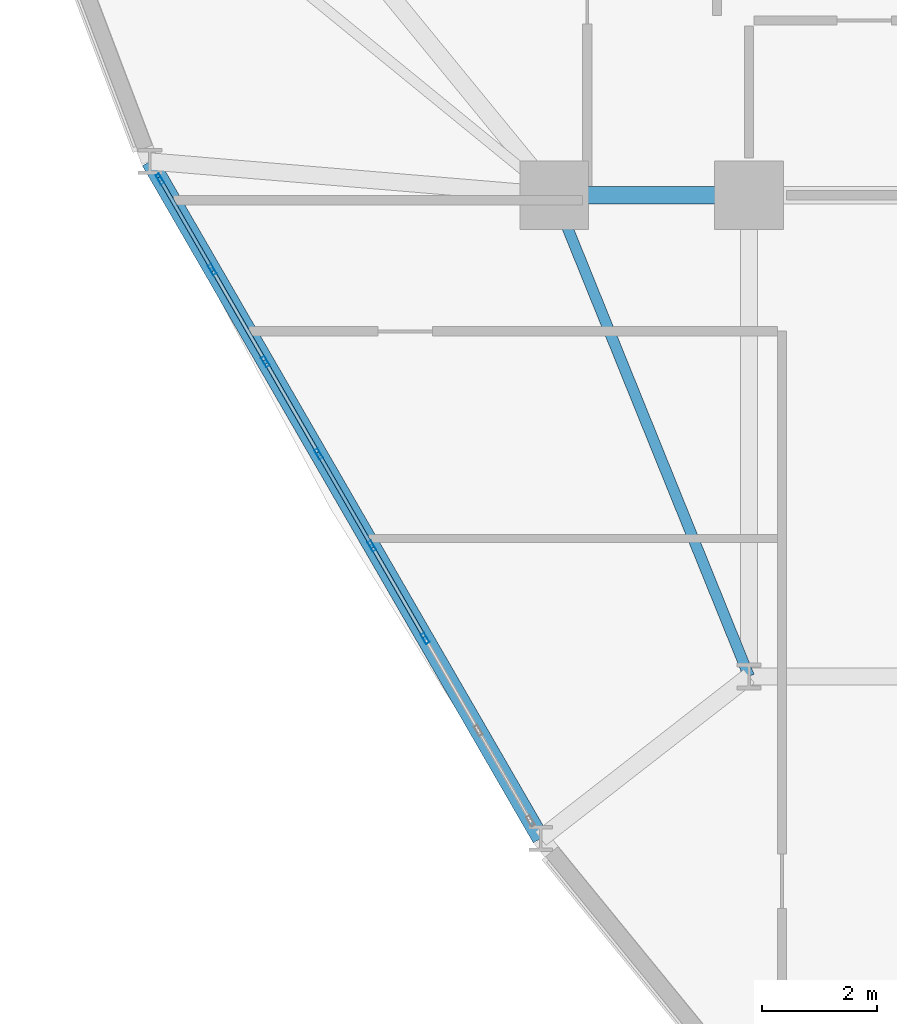
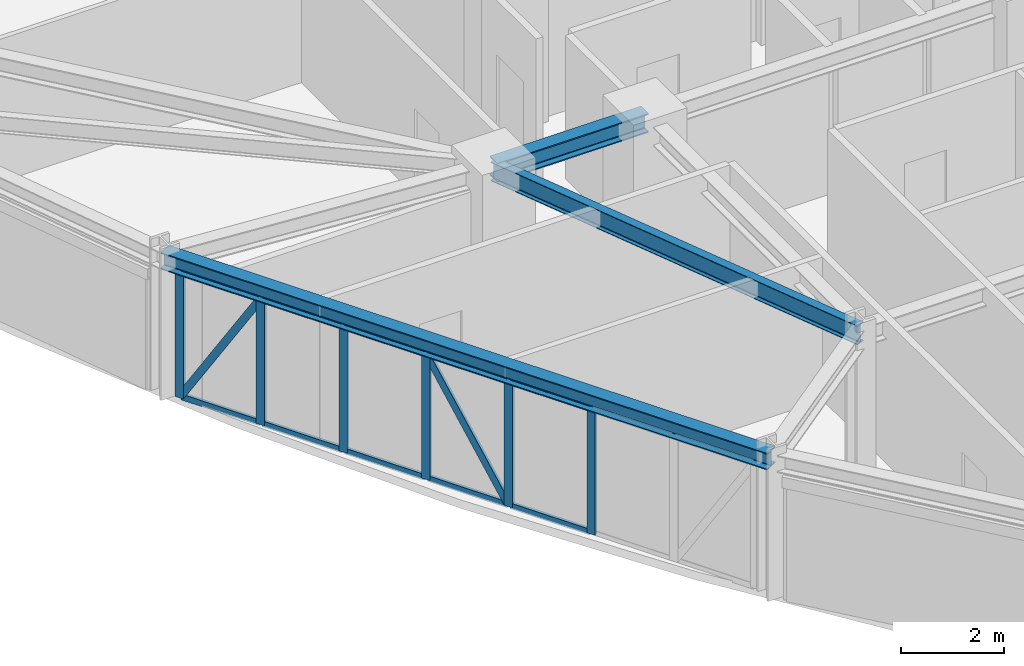
# One storey, part 4 of 17: 18 members, 3 beams, 1 element without a shape of its own.
"""IFC4 building model written with IfcOpenShell, lengths in metres."""

import ifcopenshell
import ifcopenshell.guid

model = None  # the IFC model being written
_history = None  # IfcOwnerHistory: only IFC2X3 demands one
_inside = {}  # id of a spatial element -> (the spatial element, [elements in it])
_under = {}  # id of a project, library or spatial element -> (it, [spatial elements below it])
_declared = {}  # id of a project -> (the project, [libraries it declares])
_typed = {}  # id of a type object -> (the type object, [elements of that type])
_made_of = {}  # id of a material, layer set ... -> (it, [elements and type objects made of it])


def new_model(schema):
    """Start an empty IFC model of exactly this schema.

    Asked for "IFC4X3", IfcOpenShell would pick the latest addendum, in which some entities
    have other attributes; the version numbers below select the first issue.
    IFC2X3 requires an IfcOwnerHistory on every rooted entity: one is made here for all.
    """
    global model, _history
    if schema == "IFC4X3":
        model = ifcopenshell.file(schema_version=(4, 3, 0, 0))
    else:
        model = ifcopenshell.file(schema=schema)
    _inside.clear()
    _under.clear()
    _declared.clear()
    _typed.clear()
    _made_of.clear()
    _history = None
    if model.schema == "IFC2X3":
        org = make("IfcOrganization", Name="unknown")
        user = make(
            "IfcPersonAndOrganization",
            ThePerson=make("IfcPerson", FamilyName="unknown"),
            TheOrganization=org,
        )
        app = make(
            "IfcApplication",
            ApplicationDeveloper=org,
            Version="unknown",
            ApplicationFullName="unknown",
            ApplicationIdentifier="unknown",
        )
        _history = make(
            "IfcOwnerHistory",
            OwningUser=user,
            OwningApplication=app,
            ChangeAction="ADDED",
            CreationDate=0,
        )
    return model


def make(cls, **values):
    """One entity of the class cls with the attributes given. An attribute that is None is left unset."""
    return model.create_entity(
        cls, **{name: value for name, value in values.items() if value is not None}
    )


def rooted(cls, **values):
    """An entity with a GlobalId (a new one), such as an element, a storey or a relation."""
    return make(cls, GlobalId=ifcopenshell.guid.new(), OwnerHistory=_history, **values)


def si_unit(unit_type, name, prefix=None):
    """IfcSIUnit, for example si_unit("LENGTHUNIT", "METRE", prefix="MILLI")."""
    return make("IfcSIUnit", UnitType=unit_type, Prefix=prefix, Name=name)


def derived_unit(unit_type, elements):
    """IfcDerivedUnit: a product of units, each with its exponent."""
    return make(
        "IfcDerivedUnit",
        Elements=[
            make("IfcDerivedUnitElement", Unit=unit, Exponent=power)
            for unit, power in elements
        ],
        UnitType=unit_type,
    )


def assignment(units):
    """IfcUnitAssignment: the units of a project."""
    return None if units is None else make("IfcUnitAssignment", Units=units)


def point(xyz):
    """IfcCartesianPoint."""
    return None if xyz is None else make("IfcCartesianPoint", Coordinates=xyz)


def direction(xyz):
    """IfcDirection."""
    return None if xyz is None else make("IfcDirection", DirectionRatios=xyz)


def frame(location, z_axis=None, x_axis=None):
    """IfcAxis2Placement3D, a coordinate frame: its origin and axes. An axis left out is left unset."""
    return make(
        "IfcAxis2Placement3D",
        Location=point(location),
        Axis=direction(z_axis),
        RefDirection=direction(x_axis),
    )


def frame_2d(location, x_axis=None):
    """IfcAxis2Placement2D, a coordinate frame in the plane: its origin and x axis."""
    return make(
        "IfcAxis2Placement2D", Location=point(location), RefDirection=direction(x_axis)
    )


def origin():
    """The frame at (0, 0, 0) with its axes left unset."""
    return frame((0.0, 0.0, 0.0))


def origin_2d():
    """The frame at (0, 0) in the plane with its x axis left unset."""
    return frame_2d((0.0, 0.0))


def place(relative_to, where):
    """IfcLocalPlacement: puts the frame where relative to a parent placement (None: the world)."""
    return make(
        "IfcLocalPlacement", PlacementRelTo=relative_to, RelativePlacement=where
    )


def context(
    kind, dimensions, precision=None, world=None, true_north=None, identifier=None
):
    """IfcGeometricRepresentationContext, for example the 3D "Model" context."""
    return make(
        "IfcGeometricRepresentationContext",
        ContextIdentifier=identifier,
        ContextType=kind,
        CoordinateSpaceDimension=dimensions,
        Precision=precision,
        WorldCoordinateSystem=world,
        TrueNorth=true_north,
    )


def subcontext(parent, identifier, kind, view, scale=None):
    """IfcGeometricRepresentationSubContext, for example "Body" below "Model"."""
    return make(
        "IfcGeometricRepresentationSubContext",
        ContextIdentifier=identifier,
        ContextType=kind,
        ParentContext=parent,
        TargetScale=scale,
        TargetView=view,
    )


def project(units=None, contexts=None):
    """IfcProject with its units and contexts."""
    return rooted(
        "IfcProject",
        Name="project",
        RepresentationContexts=contexts,
        UnitsInContext=assignment(units),
    )


def spatial(cls, under=None, at=None, **own):
    """A site, building, storey or space (cls), placed at a placement, below another one or the project."""
    s = rooted(cls, ObjectPlacement=at, **own)
    if under is not None:
        _under.setdefault(under.id(), (under, []))[1].append(s)
    return s


def profile(cls, at=None, kind="AREA", **sizes):
    """A parametric profile (cls). Its sizes go by their IFC names, for example OverallWidth=200.0."""
    return make(cls, ProfileType=kind, Position=at, **sizes)


def hollow_rectangle(**sizes):
    """IfcRectangleHollowProfileDef."""
    return profile("IfcRectangleHollowProfileDef", **sizes)


def i_section(**sizes):
    """IfcIShapeProfileDef."""
    return profile("IfcIShapeProfileDef", **sizes)


def extrude(swept, where, along, depth):
    """IfcExtrudedAreaSolid: the profile swept, set in the frame where, extruded along a direction by depth."""
    return make(
        "IfcExtrudedAreaSolid",
        SweptArea=swept,
        Position=where,
        ExtrudedDirection=direction(along),
        Depth=depth,
    )


def shape(context_of_items, identifier, shape_type, items):
    """IfcShapeRepresentation: the items that make up one representation, for example the "Body"."""
    return make(
        "IfcShapeRepresentation",
        ContextOfItems=context_of_items,
        RepresentationIdentifier=identifier,
        RepresentationType=shape_type,
        Items=items,
    )


def source(mapping_origin, context_of_items, identifier, shape_type, items):
    """IfcRepresentationMap: a shape defined once, which mapped items show again and again."""
    return make(
        "IfcRepresentationMap",
        MappingOrigin=mapping_origin,
        MappedRepresentation=shape(context_of_items, identifier, shape_type, items),
    )


def transform(
    local_origin,
    x_axis=None,
    y_axis=None,
    z_axis=None,
    scale=None,
    scale2=None,
    scale3=None,
    uniform=True,
):
    """IfcCartesianTransformationOperator3D, or its non-uniform kind. x_axis, y_axis, z_axis: its Axis1, 2, 3."""
    if uniform:
        return make(
            "IfcCartesianTransformationOperator3D",
            Axis1=direction(x_axis),
            Axis2=direction(y_axis),
            LocalOrigin=point(local_origin),
            Scale=scale,
            Axis3=direction(z_axis),
        )
    return make(
        "IfcCartesianTransformationOperator3DnonUniform",
        Axis1=direction(x_axis),
        Axis2=direction(y_axis),
        LocalOrigin=point(local_origin),
        Scale=scale,
        Axis3=direction(z_axis),
        Scale2=scale2,
        Scale3=scale3,
    )


def mapped(mapping_source, mapping_target):
    """IfcMappedItem: shows the shape of a source again, moved by a transform."""
    return make(
        "IfcMappedItem", MappingSource=mapping_source, MappingTarget=mapping_target
    )


def material(Name=None, Category=None):
    """IfcMaterial."""
    return make("IfcMaterial", Name=Name, Category=Category)


def layer(
    of_material, thickness, ventilated=None, Name=None, Category=None, Priority=None
):
    """IfcMaterialLayer: one layer of a wall or slab, of a material (None: an air gap)."""
    return make(
        "IfcMaterialLayer",
        Material=of_material,
        LayerThickness=thickness,
        IsVentilated=ventilated,
        Name=Name,
        Category=Category,
        Priority=Priority,
    )


def layer_set(layers, Name=None):
    """IfcMaterialLayerSet."""
    return make("IfcMaterialLayerSet", MaterialLayers=layers, LayerSetName=Name)


def material_profile(
    of_material, cross_section, Name=None, Category=None, Priority=None
):
    """IfcMaterialProfile: a cross section and its material."""
    return make(
        "IfcMaterialProfile",
        Name=Name,
        Material=of_material,
        Profile=cross_section,
        Priority=Priority,
        Category=Category,
    )


def profile_set(profiles, Name=None, composite=None):
    """IfcMaterialProfileSet."""
    return make(
        "IfcMaterialProfileSet",
        Name=Name,
        MaterialProfiles=profiles,
        CompositeProfile=composite,
    )


def made_of(thing, what):
    """Note that an element or type object is made of a material, layer set ...; save() writes the relation."""
    if what is not None:
        _made_of.setdefault(what.id(), (what, []))[1].append(thing)
    return thing


def type_object(cls, material=None, **own):
    """A type object (cls), such as IfcWallType, which elements share."""
    return made_of(rooted(cls, **own), material)


def element(
    cls,
    number,
    at=None,
    inside=None,
    cuts=None,
    type_object=None,
    material=None,
    context=None,
    identifier="Body",
    shape_type=None,
    held_by="IfcProductDefinitionShape",
    body=None,
    shapes=None,
    **own,
):
    """One element of the class cls, such as IfcWall. Its Tag is "e" and its number.

    at: its placement. inside: the storey or other place that contains it. cuts: it is an
    opening in that element (IfcRelVoidsElement). A single representation is given by context,
    identifier, shape_type and body (its items); several are given by shapes. held_by: the class
    of the entity that holds the representations. save() writes the other relations.
    """
    e = rooted(cls, Tag="e%d" % number, ObjectPlacement=at, **own)
    if body is not None:
        shapes = [shape(context, identifier, shape_type, body)]
    if shapes is not None:
        e.Representation = make(held_by, Representations=shapes)
    if inside is not None:
        _inside.setdefault(inside.id(), (inside, []))[1].append(e)
    if cuts is not None:
        rooted(
            "IfcRelVoidsElement", RelatingBuildingElement=cuts, RelatedOpeningElement=e
        )
    if type_object is not None:
        _typed.setdefault(type_object.id(), (type_object, []))[1].append(e)
    return made_of(e, material)


def aggregate(whole, parts):
    """IfcRelAggregates: a whole, such as a stair, and the parts it consists of."""
    return rooted("IfcRelAggregates", RelatingObject=whole, RelatedObjects=parts)


def save(model, path):
    """Write the relations noted so far, then the file.

    IfcRelAggregates (storeys below a building ...), IfcRelContainedInSpatialStructure (elements
    in a storey), IfcRelDefinesByType, IfcRelAssociatesMaterial and IfcRelDeclares: one each for
    every whole, place, type object, material and project.
    """
    for whole, parts in _under.values():
        aggregate(whole, parts)
    for where, things in _inside.values():
        rooted(
            "IfcRelContainedInSpatialStructure",
            RelatedElements=things,
            RelatingStructure=where,
        )
    for kind, things in _typed.values():
        rooted("IfcRelDefinesByType", RelatedObjects=things, RelatingType=kind)
    for what, things in _made_of.values():
        rooted("IfcRelAssociatesMaterial", RelatedObjects=things, RelatingMaterial=what)
    for by, libraries in _declared.values():
        rooted("IfcRelDeclares", RelatingContext=by, RelatedDefinitions=libraries)
    model.write(path)


model = new_model("IFC4")

# Units and contexts
model_context = context("Model", 3, precision=1e-05, world=origin(), true_north=direction((0.0, 1.0)))
body_context = subcontext(model_context, "Body", "Model", "MODEL_VIEW")
ifc_project = project(units=[si_unit("LENGTHUNIT", "METRE"), si_unit("AREAUNIT", "SQUARE_METRE"), si_unit("VOLUMEUNIT", "CUBIC_METRE"), si_unit("PLANEANGLEUNIT", "RADIAN"), si_unit("MASSUNIT", "GRAM", prefix="KILO"), derived_unit("THERMALTRANSMITTANCEUNIT", [(si_unit("POWERUNIT", "WATT"), 1), (si_unit("LENGTHUNIT", "METRE"), -2), (si_unit("THERMODYNAMICTEMPERATUREUNIT", "KELVIN"), -1)])], contexts=[model_context])

# Site, building, storey
site_placement = place(None, origin())
site = spatial("IfcSite", under=ifc_project, at=site_placement, CompositionType="ELEMENT")
building_placement = place(site_placement, origin())
building = spatial("IfcBuilding", under=site, at=building_placement, Name="Korsvarv Bourse and Concert Hall", CompositionType="ELEMENT")
storey_placement = place(building_placement, frame((0.0, 0.0, 120.60009765625)))
storey = spatial("IfcBuildingStorey", under=building, at=storey_placement, Name="L30", CompositionType="ELEMENT", Elevation=120.60009765625)

# Beams
ifc_material_1 = material(Name="Steel S355", Category="steel")
ifc_material_profile_1 = material_profile(ifc_material_1, i_section(OverallWidth=0.18994140625, OverallDepth=0.449951171875, WebThickness=0.009521484375, FlangeThickness=0.0146484375, FilletRadius=0.02099609375, at=origin_2d()), Name="IPE 450")
ifc_profile_set_1 = profile_set([ifc_material_profile_1], Name="Steel S355")
beam_type_1 = type_object("IfcBeamType", Name="BM-IPE450", PredefinedType="JOIST", material=ifc_profile_set_1)
shared_shape_1 = source(origin(), body_context, "Body", "SweptSolid", [
    extrude(i_section(OverallWidth=0.18994140625, OverallDepth=0.449951171875, WebThickness=0.009521484375, FlangeThickness=0.0146484375, FilletRadius=0.02099609375, at=origin_2d()), origin(), (0.0, 0.0, 1.0), 9.06201171875),
])
beam_1_placement = place(storey_placement, frame((24.199951171875, 32.39990234375, 3.1748046875), z_axis=(0.375210394783, -0.926939674222, 0.0), x_axis=(0.926939674222, 0.375210394783, 0.0)))
element("IfcBeam", 1, at=beam_1_placement, inside=storey, type_object=beam_type_1, Name="L30 beam J-04", PredefinedType="JOIST", context=body_context, shape_type="MappedRepresentation", body=[
    mapped(shared_shape_1, transform((0.0, 0.0, 0.0), scale=1.0)),
])
ifc_material_profile_2 = material_profile(ifc_material_1, i_section(OverallWidth=0.300048828125, OverallDepth=0.449951171875, WebThickness=0.013916015625, FlangeThickness=0.02587890625, FilletRadius=0.02099609375, at=origin_2d()), Name="HEB 450")
ifc_profile_set_2 = profile_set([ifc_material_profile_2], Name="Steel S355")
beam_type_2 = type_object("IfcBeamType", Name="BM-HEB450", PredefinedType="SPANDREL", material=ifc_profile_set_2)
shared_shape_2 = source(origin(), body_context, "Body", "SweptSolid", [
    extrude(i_section(OverallWidth=0.300048828125, OverallDepth=0.449951171875, WebThickness=0.013916015625, FlangeThickness=0.02587890625, FilletRadius=0.02099609375, at=origin_2d()), origin(), (0.0, 0.0, 1.0), 3.400146484375),
])
beam_2_placement = place(storey_placement, frame((24.199951171875, 32.39990234375, 3.1748046875), z_axis=(1.0, 0.0, 0.0), x_axis=(0.0, 1.0, 0.0)))
element("IfcBeam", 2, at=beam_2_placement, inside=storey, type_object=beam_type_2, Name="L30 beam B-08", PredefinedType="SPANDREL", context=body_context, shape_type="MappedRepresentation", body=[
    mapped(shared_shape_2, transform((0.0, 0.0, 0.0), scale=1.0)),
])
ifc_material_profile_3 = material_profile(ifc_material_1, i_section(OverallWidth=0.300048828125, OverallDepth=0.39990234375, WebThickness=0.013427734375, FlangeThickness=0.02392578125, FilletRadius=0.02099609375, at=origin_2d()), Name="HEB 400")
ifc_profile_set_3 = profile_set([ifc_material_profile_3], Name="Steel S355")
beam_type_3 = type_object("IfcBeamType", Name="BM-HEB400", PredefinedType="SPANDREL", material=ifc_profile_set_3)
shared_shape_3 = source(origin(), body_context, "Body", "SweptSolid", [
    extrude(i_section(OverallWidth=0.300048828125, OverallDepth=0.39990234375, WebThickness=0.013427734375, FlangeThickness=0.02392578125, FilletRadius=0.02099609375, at=origin_2d()), origin(), (0.0, 0.0, 1.0), 13.6533203125),
])
beam_3_placement = place(storey_placement, frame((17.1357421875, 32.991455078125, 3.199951171875), z_axis=(0.499996939111, -0.866027170982, 0.0), x_axis=(0.866027170982, 0.499996939111, 0.0)))
element("IfcBeam", 3, at=beam_3_placement, inside=storey, type_object=beam_type_3, Name="L30 beam B-09", PredefinedType="SPANDREL", context=body_context, shape_type="MappedRepresentation", body=[
    mapped(shared_shape_3, transform((0.0, 0.0, 0.0), scale=1.0)),
])

# Curtain wall, members
ifc_material_2 = material(Name="Anodised aluminium and triple low-E glazing", Category="glass")
ifc_layer = layer(ifc_material_2, 0.2099609375)
ifc_layer_set = layer_set([ifc_layer], Name="Anodised aluminium and triple low-E glazing")
curtain_wall_type = type_object("IfcCurtainWallType", Name="CW-SYS-2", PredefinedType="NOTDEFINED", material=ifc_layer_set)
curtain_wall_placement = place(storey_placement, origin())
curtain_wall = element("IfcCurtainWall", 4, at=curtain_wall_placement, inside=storey, type_object=curtain_wall_type, Name="L30 CW2 curtain wall CW-L30-F07", PredefinedType="NOTDEFINED")
ifc_material_3 = material(Name="Extruded aluminium EN AW-6063 T66", Category="aluminium")
ifc_material_profile_4 = material_profile(ifc_material_3, hollow_rectangle(XDim=0.070068359375, YDim=0.18994140625, WallThickness=0.0048828125, at=origin_2d()), Name="ALU-M 70x190")
ifc_profile_set_4 = profile_set([ifc_material_profile_4], Name="Extruded aluminium EN AW-6063 T66")
member_type_1 = type_object("IfcMemberType", Name="CWM-190", PredefinedType="MULLION", material=ifc_profile_set_4)
shared_shape_4 = source(origin(), body_context, "Body", "SweptSolid", [
    extrude(hollow_rectangle(XDim=0.070068359375, YDim=0.18994140625, WallThickness=0.0048828125, at=origin_2d()), origin(), (0.0, 0.0, 1.0), 3.0),
])
member_1_placement = place(storey_placement, frame((17.3134765625, 32.68359375, 0.0), z_axis=(0.0, 0.0, 1.0), x_axis=(0.866021265954, 0.500007166863, 0.0)))
member_1 = element("IfcMember", 5, at=member_1_placement, type_object=member_type_1, Name="CW2 mullion 1", PredefinedType="MULLION", context=body_context, shape_type="MappedRepresentation", body=[
    mapped(shared_shape_4, transform((0.0, 0.0, 0.0), scale=1.0)),
])
member_2_placement = place(storey_placement, frame((18.225341796875, 31.10400390625, 0.0), z_axis=(0.0, 0.0, 1.0), x_axis=(0.866021265954, 0.500007166863, 0.0)))
member_2 = element("IfcMember", 6, at=member_2_placement, type_object=member_type_1, Name="CW2 mullion 2", PredefinedType="MULLION", context=body_context, shape_type="MappedRepresentation", body=[
    mapped(shared_shape_4, transform((0.0, 0.0, 0.0), scale=1.0)),
])
member_3_placement = place(storey_placement, frame((19.15478515625, 29.494140625, 0.0), z_axis=(0.0, 0.0, 1.0), x_axis=(0.866021265954, 0.500007166863, 0.0)))
member_3 = element("IfcMember", 7, at=member_3_placement, type_object=member_type_1, Name="CW2 mullion 3", PredefinedType="MULLION", context=body_context, shape_type="MappedRepresentation", body=[
    mapped(shared_shape_4, transform((0.0, 0.0, 0.0), scale=1.0)),
])
member_4_placement = place(storey_placement, frame((20.08447265625, 27.88427734375, 0.0), z_axis=(0.0, 0.0, 1.0), x_axis=(0.866021265954, 0.500007166863, 0.0)))
member_4 = element("IfcMember", 8, at=member_4_placement, type_object=member_type_1, Name="CW2 mullion 4", PredefinedType="MULLION", context=body_context, shape_type="MappedRepresentation", body=[
    mapped(shared_shape_4, transform((0.0, 0.0, 0.0), scale=1.0)),
])
member_5_placement = place(storey_placement, frame((21.013916015625, 26.2744140625, 0.0), z_axis=(0.0, 0.0, 1.0), x_axis=(0.866021265954, 0.500007166863, 0.0)))
member_5 = element("IfcMember", 9, at=member_5_placement, type_object=member_type_1, Name="CW2 mullion 5", PredefinedType="MULLION", context=body_context, shape_type="MappedRepresentation", body=[
    mapped(shared_shape_4, transform((0.0, 0.0, 0.0), scale=1.0)),
])
member_6_placement = place(storey_placement, frame((21.943359375, 24.66455078125, 0.0), z_axis=(0.0, 0.0, 1.0), x_axis=(0.866021265954, 0.500007166863, 0.0)))
member_6 = element("IfcMember", 10, at=member_6_placement, type_object=member_type_1, Name="CW2 mullion 6", PredefinedType="MULLION", context=body_context, shape_type="MappedRepresentation", body=[
    mapped(shared_shape_4, transform((0.0, 0.0, 0.0), scale=1.0)),
])
ifc_material_profile_5 = material_profile(ifc_material_3, hollow_rectangle(XDim=0.06494140625, YDim=0.139892578125, WallThickness=0.00390625, at=origin_2d()), Name="ALU-T 65x140")
ifc_profile_set_5 = profile_set([ifc_material_profile_5], Name="Extruded aluminium EN AW-6063 T66")
member_type_2 = type_object("IfcMemberType", Name="CWT-140", PredefinedType="USERDEFINED", material=ifc_profile_set_5)
shared_shape_5 = source(origin(), body_context, "Body", "SweptSolid", [
    extrude(hollow_rectangle(XDim=0.06494140625, YDim=0.139892578125, WallThickness=0.00390625, at=origin_2d()), origin(), (0.0, 0.0, 1.0), 1.75390625),
])
member_7_placement = place(storey_placement, frame((17.330810546875, 32.6533203125, 0.032470703125), z_axis=(0.500031736301, -0.866007080047, 0.0), x_axis=(0.866007080047, 0.500031736301, 0.0)))
member_7 = element("IfcMember", 11, at=member_7_placement, type_object=member_type_2, Name="CW2 transom 1.1", ObjectType="TRANSOM", PredefinedType="USERDEFINED", context=body_context, shape_type="MappedRepresentation", body=[
    mapped(shared_shape_5, transform((0.0, 0.0, 0.0), scale=1.0)),
])
member_8_placement = place(storey_placement, frame((17.330810546875, 32.6533203125, 2.96728515625), z_axis=(0.500031736301, -0.866007080047, 0.0), x_axis=(0.866007080047, 0.500031736301, 0.0)))
member_8 = element("IfcMember", 12, at=member_8_placement, type_object=member_type_2, Name="CW2 transom 1.2", ObjectType="TRANSOM", PredefinedType="USERDEFINED", context=body_context, shape_type="MappedRepresentation", body=[
    mapped(shared_shape_5, transform((0.0, 0.0, 0.0), scale=1.0)),
])
ifc_material_profile_6 = material_profile(ifc_material_3, hollow_rectangle(XDim=0.06494140625, YDim=0.1650390625, WallThickness=0.0048828125, at=origin_2d()), Name="ALU-M 65x165")
ifc_profile_set_6 = profile_set([ifc_material_profile_6], Name="Extruded aluminium EN AW-6063 T66")
member_type_3 = type_object("IfcMemberType", Name="CWM-165", PredefinedType="MULLION", material=ifc_profile_set_6)
shared_shape_6 = source(origin(), body_context, "Body", "SweptSolid", [
    extrude(hollow_rectangle(XDim=0.06494140625, YDim=0.1650390625, WallThickness=0.0048828125, at=origin_2d()), origin(), (0.0, 0.0, 1.0), 3.36328125),
])
member_9_placement = place(storey_placement, frame((17.330810546875, 32.6533203125, 0.06494140625), z_axis=(0.260739781155, -0.451576330335, 0.853283999853), x_axis=(0.866007080047, 0.500031736301, 0.0)))
member_9 = element("IfcMember", 13, at=member_9_placement, type_object=member_type_3, Name="CW2 diagonal mullion 1", PredefinedType="MULLION", context=body_context, shape_type="MappedRepresentation", body=[
    mapped(shared_shape_6, transform((0.0, 0.0, 0.0), scale=1.0)),
])
shared_shape_7 = source(origin(), body_context, "Body", "SweptSolid", [
    extrude(hollow_rectangle(XDim=0.06494140625, YDim=0.139892578125, WallThickness=0.00390625, at=origin_2d()), origin(), (0.0, 0.0, 1.0), 1.788818359375),
])
member_10_placement = place(storey_placement, frame((18.242919921875, 31.07373046875, 0.032470703125), z_axis=(0.500072935515, -0.86598329035, 0.0), x_axis=(0.86598329035, 0.500072935515, 0.0)))
member_10 = element("IfcMember", 14, at=member_10_placement, type_object=member_type_2, Name="CW2 transom 2.1", ObjectType="TRANSOM", PredefinedType="USERDEFINED", context=body_context, shape_type="MappedRepresentation", body=[
    mapped(shared_shape_7, transform((0.0, 0.0, 0.0), scale=1.0)),
])
member_11_placement = place(storey_placement, frame((18.242919921875, 31.07373046875, 2.96728515625), z_axis=(0.500072935515, -0.86598329035, 0.0), x_axis=(0.86598329035, 0.500072935515, 0.0)))
member_11 = element("IfcMember", 15, at=member_11_placement, type_object=member_type_2, Name="CW2 transom 2.2", ObjectType="TRANSOM", PredefinedType="USERDEFINED", context=body_context, shape_type="MappedRepresentation", body=[
    mapped(shared_shape_7, transform((0.0, 0.0, 0.0), scale=1.0)),
])
shared_shape_8 = source(origin(), body_context, "Body", "SweptSolid", [
    extrude(hollow_rectangle(XDim=0.06494140625, YDim=0.139892578125, WallThickness=0.00390625, at=origin_2d()), origin(), (0.0, 0.0, 1.0), 1.7890625),
])
member_12_placement = place(storey_placement, frame((19.17236328125, 29.4638671875, 0.032470703125), z_axis=(0.500013836808, -0.866017414952, 0.0), x_axis=(0.866017414952, 0.500013836808, 0.0)))
member_12 = element("IfcMember", 16, at=member_12_placement, type_object=member_type_2, Name="CW2 transom 3.1", ObjectType="TRANSOM", PredefinedType="USERDEFINED", context=body_context, shape_type="MappedRepresentation", body=[
    mapped(shared_shape_8, transform((0.0, 0.0, 0.0), scale=1.0)),
])
member_13_placement = place(storey_placement, frame((19.17236328125, 29.4638671875, 2.96728515625), z_axis=(0.500013836808, -0.866017414952, 0.0), x_axis=(0.866017414952, 0.500013836808, 0.0)))
member_13 = element("IfcMember", 17, at=member_13_placement, type_object=member_type_2, Name="CW2 transom 3.2", ObjectType="TRANSOM", PredefinedType="USERDEFINED", context=body_context, shape_type="MappedRepresentation", body=[
    mapped(shared_shape_8, transform((0.0, 0.0, 0.0), scale=1.0)),
])
member_14_placement = place(storey_placement, frame((20.101806640625, 27.85400390625, 0.032470703125), z_axis=(0.500013836808, -0.866017414952, 0.0), x_axis=(0.866017414952, 0.500013836808, 0.0)))
member_14 = element("IfcMember", 18, at=member_14_placement, type_object=member_type_2, Name="CW2 transom 4.1", ObjectType="TRANSOM", PredefinedType="USERDEFINED", context=body_context, shape_type="MappedRepresentation", body=[
    mapped(shared_shape_8, transform((0.0, 0.0, 0.0), scale=1.0)),
])
member_15_placement = place(storey_placement, frame((20.101806640625, 27.85400390625, 2.96728515625), z_axis=(0.500013836808, -0.866017414952, 0.0), x_axis=(0.866017414952, 0.500013836808, 0.0)))
member_15 = element("IfcMember", 19, at=member_15_placement, type_object=member_type_2, Name="CW2 transom 4.2", ObjectType="TRANSOM", PredefinedType="USERDEFINED", context=body_context, shape_type="MappedRepresentation", body=[
    mapped(shared_shape_8, transform((0.0, 0.0, 0.0), scale=1.0)),
])
member_16_placement = place(storey_placement, frame((21.03125, 26.244140625, 0.032470703125), z_axis=(0.500013836808, -0.866017414952, 0.0), x_axis=(0.866017414952, 0.500013836808, 0.0)))
member_16 = element("IfcMember", 20, at=member_16_placement, type_object=member_type_2, Name="CW2 transom 5.1", ObjectType="TRANSOM", PredefinedType="USERDEFINED", context=body_context, shape_type="MappedRepresentation", body=[
    mapped(shared_shape_8, transform((0.0, 0.0, 0.0), scale=1.0)),
])
member_17_placement = place(storey_placement, frame((21.03125, 26.244140625, 2.96728515625), z_axis=(0.500013836808, -0.866017414952, 0.0), x_axis=(0.866017414952, 0.500013836808, 0.0)))
member_17 = element("IfcMember", 21, at=member_17_placement, type_object=member_type_2, Name="CW2 transom 5.2", ObjectType="TRANSOM", PredefinedType="USERDEFINED", context=body_context, shape_type="MappedRepresentation", body=[
    mapped(shared_shape_8, transform((0.0, 0.0, 0.0), scale=1.0)),
])
shared_shape_9 = source(origin(), body_context, "Body", "SweptSolid", [
    extrude(hollow_rectangle(XDim=0.06494140625, YDim=0.1650390625, WallThickness=0.0048828125, at=origin_2d()), origin(), (0.0, 0.0, 1.0), 3.3818359375),
])
member_18_placement = place(storey_placement, frame((20.996337890625, 26.3046875, 0.06494140625), z_axis=(-0.264511413301, 0.458130302622, 0.848616720347), x_axis=(-0.866017414952, -0.500013836808, 0.0)))
member_18 = element("IfcMember", 22, at=member_18_placement, type_object=member_type_3, Name="CW2 diagonal mullion 4", PredefinedType="MULLION", context=body_context, shape_type="MappedRepresentation", body=[
    mapped(shared_shape_9, transform((0.0, 0.0, 0.0), scale=1.0)),
])
aggregate(curtain_wall, [member_1, member_2, member_3, member_4, member_5, member_6, member_7, member_8, member_9, member_10, member_11, member_12, member_13, member_14, member_15, member_18, member_16, member_17])

save(model, "model.ifc")
